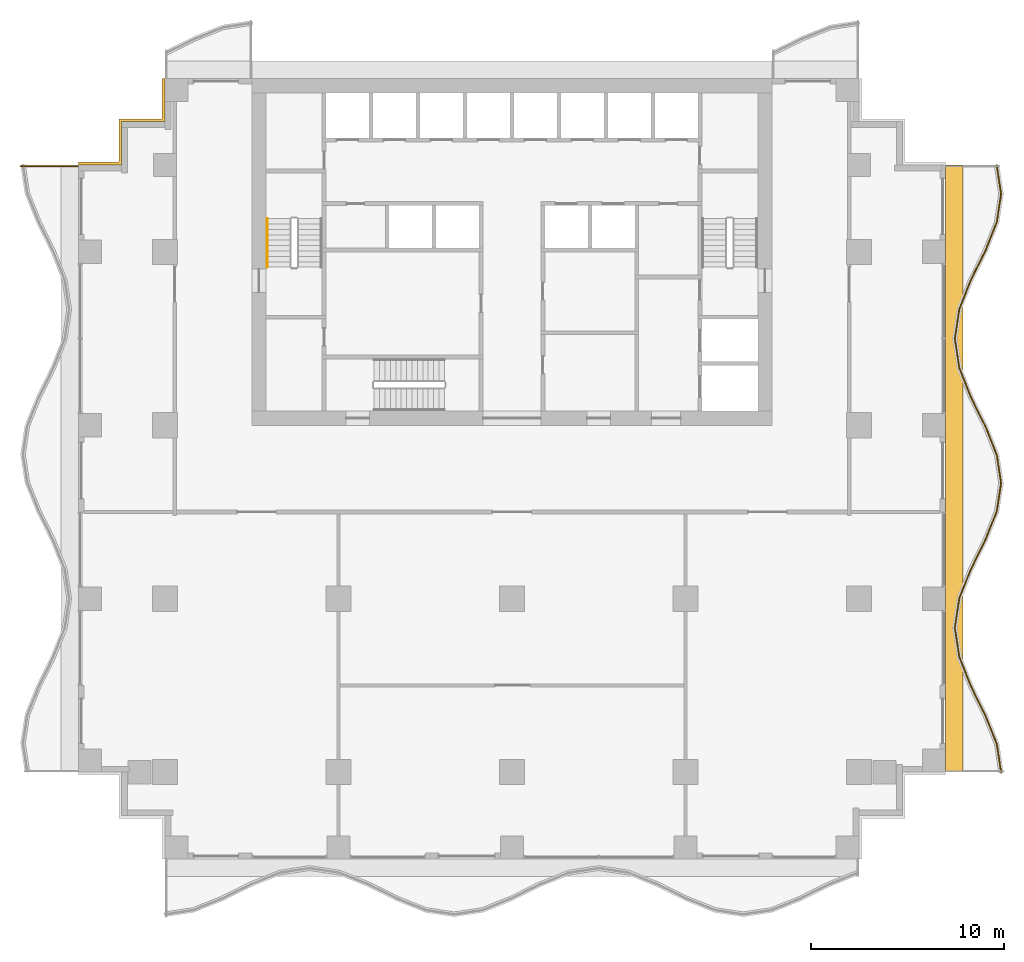
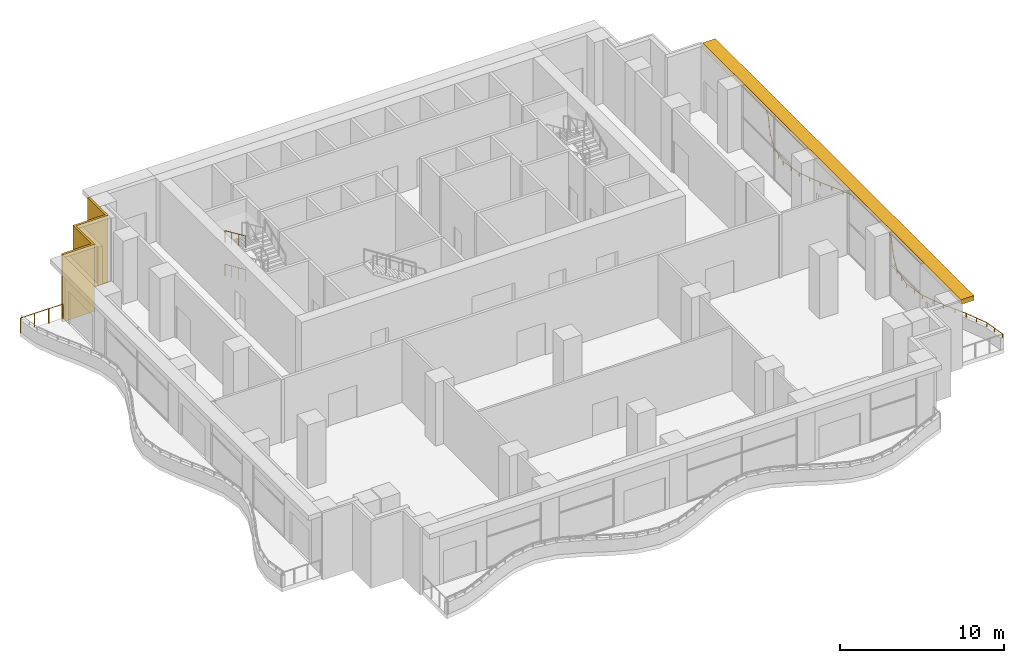
# One storey, part 13 of 14: 4 railings, 2 shading devices.
"""IFC4 building model written with IfcOpenShell, lengths in metres."""

from ifc_helpers import new_model, si_unit, direction, frame, origin, origin_2d, place, context, subcontext, project, spatial, polyline, rectangle, circle, outline, extrude, material, layer, layer_set, type_object, element, save


model = new_model("IFC4")

# Units and contexts
model_context = context("Model", 3, precision=1e-05, world=origin(), true_north=direction((0.0, 1.0)))
body_context = subcontext(model_context, "Body", "Model", "MODEL_VIEW")
ifc_project = project(units=[si_unit("LENGTHUNIT", "METRE"), si_unit("AREAUNIT", "SQUARE_METRE"), si_unit("VOLUMEUNIT", "CUBIC_METRE"), si_unit("PLANEANGLEUNIT", "RADIAN"), si_unit("MASSUNIT", "GRAM", prefix="KILO")], contexts=[model_context])

# Site, building, storey
site_placement = place(None, origin())
site = spatial("IfcSite", under=ifc_project, at=site_placement, CompositionType="ELEMENT")
building_placement = place(site_placement, origin())
building = spatial("IfcBuilding", under=site, at=building_placement, Name="Orbiselva Terraces", CompositionType="ELEMENT")
storey_placement = place(building_placement, frame((0.0, 0.0, 120.0)))
storey = spatial("IfcBuildingStorey", under=building, at=storey_placement, Name="L30", CompositionType="ELEMENT", Elevation=120.0)

# Railings
ifc_material_1 = material(Name="Stainless steel", Category="steel")
railing_type_1 = type_object("IfcRailingType", Name="CORE-HANDRAIL-900", PredefinedType="HANDRAIL", material=ifc_material_1)
for number, where, name in (
    (1, (-12.7, 15.22, 1.375), "L30 S1 stair handrail 2"),
    (2, (-12.7, 15.22, 3.875), "L30 S1 stair handrail 4"),
):
    element("IfcRailing", number, at=place(storey_placement, frame(where)), inside=storey, type_object=railing_type_1, Name=name, PredefinedType="HANDRAIL", context=body_context, shape_type="SweptSolid", body=[
        extrude(circle(Radius=0.024, at=origin_2d()), frame((0.0, 0.0, 0.876), z_axis=(0.0, -0.913137882438, 0.407650840374), x_axis=(1.0, 0.0, 0.0)), (0.0, 0.0, 1.0), 2.759715),
        extrude(circle(Radius=0.021, at=origin_2d()), origin(), (0.0, 0.0, 1.0), 0.852),
        extrude(circle(Radius=0.021, at=origin_2d()), frame((0.0, -0.84, 0.375)), (0.0, 0.0, 1.0), 0.852),
        extrude(circle(Radius=0.021, at=origin_2d()), frame((0.0, -1.68, 0.75)), (0.0, 0.0, 1.0), 0.852),
        extrude(circle(Radius=0.021, at=origin_2d()), frame((0.0, -2.52, 1.125)), (0.0, 0.0, 1.0), 0.852),
    ])
ifc_material_2 = material(Name="Bonded two-ply safety glass balustrade, stainless steel posts", Category="steel")
railing_type_2 = type_object("IfcRailingType", Name="ENV-BALUSTRADE-1200", PredefinedType="BALUSTRADE", material=ifc_material_2)
railing_1_placement = place(storey_placement, frame((25.376434, -13.518879, 0.9)))
element("IfcRailing", 3, at=railing_1_placement, inside=storey, type_object=railing_type_2, Name="Balcony balustrade L30 E", PredefinedType="BALUSTRADE", context=body_context, shape_type="SweptSolid", body=[
    extrude(outline(polyline([(0.028868, 0.0), (0.014434, 0.025), (-0.014434, 0.025), (-0.028868, 0.0), (-0.014434, -0.025), (0.014434, -0.025), (0.028868, 0.0)])), frame((0.0, 0.0, 0.275), z_axis=(-0.151034103443, 0.988528552748, 0.0), x_axis=(-0.988528552748, -0.151034103443, 0.0)), (0.0, 0.0, 1.0), 1.503038),
    extrude(outline(polyline([(0.028868, 0.0), (0.014434, 0.025), (-0.014434, 0.025), (-0.028868, 0.0), (-0.014434, -0.025), (0.014434, -0.025), (0.028868, 0.0)])), frame((-0.22701, 1.485796, 0.275), z_axis=(-0.371391000387, 0.928476561272, 0.0), x_axis=(-0.928476561272, -0.371391000387, 0.0)), (0.0, 0.0, 1.0), 1.596261),
    extrude(outline(polyline([(0.028868, 0.0), (0.014434, 0.025), (-0.014434, 0.025), (-0.028868, 0.0), (-0.014434, -0.025), (0.014434, -0.025), (0.028868, 0.0)])), frame((-0.819847, 2.967887, 0.275), z_axis=(-0.443212307306, 0.896416672454, 0.0), x_axis=(-0.896416672454, -0.443212307306, 0.0)), (0.0, 0.0, 1.0), 1.673329),
    extrude(outline(polyline([(0.028868, 0.0), (0.014434, 0.025), (-0.014434, 0.025), (-0.028868, 0.0), (-0.014434, -0.025), (0.014434, -0.025), (0.028868, 0.0)])), frame((-1.561487, 4.467887, 0.275), z_axis=(-0.371390359967, 0.92847681744, 0.0), x_axis=(-0.92847681744, -0.371390359967, 0.0)), (0.0, 0.0, 1.0), 1.634838),
    extrude(outline(polyline([(0.028868, 0.0), (0.014434, 0.025), (-0.014434, 0.025), (-0.028868, 0.0), (-0.014434, -0.025), (0.014434, -0.025), (0.028868, 0.0)])), frame((-2.16865, 5.985796, 0.275), z_axis=(-0.151034211256, 0.988528536275, 0.0), x_axis=(-0.988528536275, -0.151034211256, 0.0)), (0.0, 0.0, 1.0), 1.550874),
    extrude(outline(polyline([(0.028868, 0.0), (0.014434, 0.025), (-0.014434, 0.025), (-0.028868, 0.0), (-0.014434, -0.025), (0.014434, -0.025), (0.028868, 0.0)])), frame((-2.402885, 7.518879, 0.275), z_axis=(0.151034211256, 0.988528536275, 0.0), x_axis=(-0.988528536275, 0.151034211256, 0.0)), (0.0, 0.0, 1.0), 1.550874),
    extrude(outline(polyline([(0.028868, 0.0), (0.014434, 0.025), (-0.014434, 0.025), (-0.028868, 0.0), (-0.014434, -0.025), (0.014434, -0.025), (0.028868, 0.0)])), frame((-2.16865, 9.051962, 0.275), z_axis=(0.371390359967, 0.92847681744, 0.0), x_axis=(-0.92847681744, 0.371390359967, 0.0)), (0.0, 0.0, 1.0), 1.634838),
    extrude(outline(polyline([(0.028868, 0.0), (0.014434, 0.025), (-0.014434, 0.025), (-0.028868, 0.0), (-0.014434, -0.025), (0.014434, -0.025), (0.028868, 0.0)])), frame((-1.561487, 10.569871, 0.275), z_axis=(0.443212307306, 0.896416672454, 0.0), x_axis=(-0.896416672454, 0.443212307306, 0.0)), (0.0, 0.0, 1.0), 1.673329),
    extrude(outline(polyline([(0.028868, 0.0), (0.014434, 0.025), (-0.014434, 0.025), (-0.028868, 0.0), (-0.014434, -0.025), (0.014434, -0.025), (0.028868, 0.0)])), frame((-0.819847, 12.069871, 0.275), z_axis=(0.371391000387, 0.928476561272, 0.0), x_axis=(-0.928476561272, 0.371391000387, 0.0)), (0.0, 0.0, 1.0), 1.596261),
    extrude(outline(polyline([(0.028868, 0.0), (0.014434, 0.025), (-0.014434, 0.025), (-0.028868, 0.0), (-0.014434, -0.025), (0.014434, -0.025), (0.028868, 0.0)])), frame((-0.22701, 13.551962, 0.275), z_axis=(0.151033749027, 0.988528606898, 0.0), x_axis=(-0.988528606898, 0.151033749027, 0.0)), (0.0, 0.0, 1.0), 1.48394),
    extrude(outline(polyline([(0.028868, 0.0), (0.014434, 0.025), (-0.014434, 0.025), (-0.028868, 0.0), (-0.014434, -0.025), (0.014434, -0.025), (0.028868, 0.0)])), frame((-0.002885, 15.018879, 0.275), z_axis=(-0.151033749027, 0.988528606898, 0.0), x_axis=(-0.988528606898, -0.151033749027, 0.0)), (0.0, 0.0, 1.0), 1.48394),
    extrude(outline(polyline([(0.028868, 0.0), (0.014434, 0.025), (-0.014434, 0.025), (-0.028868, 0.0), (-0.014434, -0.025), (0.014434, -0.025), (0.028868, 0.0)])), frame((-0.22701, 16.485796, 0.275), z_axis=(-0.371391000387, 0.928476561272, 0.0), x_axis=(-0.928476561272, -0.371391000387, 0.0)), (0.0, 0.0, 1.0), 1.596261),
    extrude(outline(polyline([(0.028868, 0.0), (0.014434, 0.025), (-0.014434, 0.025), (-0.028868, 0.0), (-0.014434, -0.025), (0.014434, -0.025), (0.028868, 0.0)])), frame((-0.819847, 17.967887, 0.275), z_axis=(-0.443212307306, 0.896416672454, 0.0), x_axis=(-0.896416672454, -0.443212307306, 0.0)), (0.0, 0.0, 1.0), 1.673329),
    extrude(outline(polyline([(0.028868, 0.0), (0.014434, 0.025), (-0.014434, 0.025), (-0.028868, 0.0), (-0.014434, -0.025), (0.014434, -0.025), (0.028868, 0.0)])), frame((-1.561487, 19.467887, 0.275), z_axis=(-0.371390359967, 0.92847681744, 0.0), x_axis=(-0.92847681744, -0.371390359967, 0.0)), (0.0, 0.0, 1.0), 1.634838),
    extrude(outline(polyline([(0.028868, 0.0), (0.014434, 0.025), (-0.014434, 0.025), (-0.028868, 0.0), (-0.014434, -0.025), (0.014434, -0.025), (0.028868, 0.0)])), frame((-2.16865, 20.985796, 0.275), z_axis=(-0.151034211256, 0.988528536275, 0.0), x_axis=(-0.988528536275, -0.151034211256, 0.0)), (0.0, 0.0, 1.0), 1.550874),
    extrude(outline(polyline([(0.028868, 0.0), (0.014434, 0.025), (-0.014434, 0.025), (-0.028868, 0.0), (-0.014434, -0.025), (0.014434, -0.025), (0.028868, 0.0)])), frame((-2.402885, 22.518879, 0.275), z_axis=(0.151034211256, 0.988528536275, 0.0), x_axis=(-0.988528536275, 0.151034211256, 0.0)), (0.0, 0.0, 1.0), 1.550874),
    extrude(outline(polyline([(0.028868, 0.0), (0.014434, 0.025), (-0.014434, 0.025), (-0.028868, 0.0), (-0.014434, -0.025), (0.014434, -0.025), (0.028868, 0.0)])), frame((-2.16865, 24.051962, 0.275), z_axis=(0.371390359967, 0.92847681744, 0.0), x_axis=(-0.92847681744, 0.371390359967, 0.0)), (0.0, 0.0, 1.0), 1.634838),
    extrude(outline(polyline([(0.028868, 0.0), (0.014434, 0.025), (-0.014434, 0.025), (-0.028868, 0.0), (-0.014434, -0.025), (0.014434, -0.025), (0.028868, 0.0)])), frame((-1.561487, 25.569871, 0.275), z_axis=(0.443212307306, 0.896416672454, 0.0), x_axis=(-0.896416672454, 0.443212307306, 0.0)), (0.0, 0.0, 1.0), 1.673329),
    extrude(outline(polyline([(0.028868, 0.0), (0.014434, 0.025), (-0.014434, 0.025), (-0.028868, 0.0), (-0.014434, -0.025), (0.014434, -0.025), (0.028868, 0.0)])), frame((-0.819847, 27.069871, 0.275), z_axis=(0.371391000387, 0.928476561272, 0.0), x_axis=(-0.928476561272, 0.371391000387, 0.0)), (0.0, 0.0, 1.0), 1.596261),
    extrude(outline(polyline([(0.028868, 0.0), (0.014434, 0.025), (-0.014434, 0.025), (-0.028868, 0.0), (-0.014434, -0.025), (0.014434, -0.025), (0.028868, 0.0)])), frame((-0.22701, 28.551962, 0.275), z_axis=(0.151033749027, 0.988528606898, 0.0), x_axis=(-0.988528606898, 0.151033749027, 0.0)), (0.0, 0.0, 1.0), 1.48394),
    extrude(outline(polyline([(0.028868, 0.0), (0.014434, 0.025), (-0.014434, 0.025), (-0.028868, 0.0), (-0.014434, -0.025), (0.014434, -0.025), (0.028868, 0.0)])), frame((-0.002885, 30.018879, 0.275), z_axis=(-0.151033632714, 0.988528624669, 0.0), x_axis=(-0.988528624669, -0.151033632714, 0.0)), (0.0, 0.0, 1.0), 1.498309),
    extrude(rectangle(XDim=0.05, YDim=0.05, at=origin_2d()), origin(), (0.0, 0.0, 1.0), 0.25),
    extrude(rectangle(XDim=0.05, YDim=0.05, at=origin_2d()), frame((-0.113505, 0.742898, 0.0)), (0.0, 0.0, 1.0), 0.25),
    extrude(rectangle(XDim=0.05, YDim=0.05, at=origin_2d()), frame((-0.22701, 1.485796, 0.0)), (0.0, 0.0, 1.0), 0.25),
    extrude(rectangle(XDim=0.05, YDim=0.05, at=origin_2d()), frame((-0.523428, 2.226842, 0.0)), (0.0, 0.0, 1.0), 0.25),
    extrude(rectangle(XDim=0.05, YDim=0.05, at=origin_2d()), frame((-0.819847, 2.967887, 0.0)), (0.0, 0.0, 1.0), 0.25),
    extrude(rectangle(XDim=0.05, YDim=0.05, at=origin_2d()), frame((-1.190667, 3.717887, 0.0)), (0.0, 0.0, 1.0), 0.25),
    extrude(rectangle(XDim=0.05, YDim=0.05, at=origin_2d()), frame((-1.561487, 4.467887, 0.0)), (0.0, 0.0, 1.0), 0.25),
    extrude(rectangle(XDim=0.05, YDim=0.05, at=origin_2d()), frame((-1.865068, 5.226841, 0.0)), (0.0, 0.0, 1.0), 0.25),
    extrude(rectangle(XDim=0.05, YDim=0.05, at=origin_2d()), frame((-2.16865, 5.985796, 0.0)), (0.0, 0.0, 1.0), 0.25),
    extrude(rectangle(XDim=0.05, YDim=0.05, at=origin_2d()), frame((-2.285768, 6.752337, 0.0)), (0.0, 0.0, 1.0), 0.25),
    extrude(rectangle(XDim=0.05, YDim=0.05, at=origin_2d()), frame((-2.402885, 7.518879, 0.0)), (0.0, 0.0, 1.0), 0.25),
    extrude(rectangle(XDim=0.05, YDim=0.05, at=origin_2d()), frame((-2.285768, 8.285421, 0.0)), (0.0, 0.0, 1.0), 0.25),
    extrude(rectangle(XDim=0.05, YDim=0.05, at=origin_2d()), frame((-2.16865, 9.051962, 0.0)), (0.0, 0.0, 1.0), 0.25),
    extrude(rectangle(XDim=0.05, YDim=0.05, at=origin_2d()), frame((-1.865068, 9.810916, 0.0)), (0.0, 0.0, 1.0), 0.25),
    extrude(rectangle(XDim=0.05, YDim=0.05, at=origin_2d()), frame((-1.561487, 10.569871, 0.0)), (0.0, 0.0, 1.0), 0.25),
    extrude(rectangle(XDim=0.05, YDim=0.05, at=origin_2d()), frame((-1.190667, 11.319871, 0.0)), (0.0, 0.0, 1.0), 0.25),
    extrude(rectangle(XDim=0.05, YDim=0.05, at=origin_2d()), frame((-0.819847, 12.069871, 0.0)), (0.0, 0.0, 1.0), 0.25),
    extrude(rectangle(XDim=0.05, YDim=0.05, at=origin_2d()), frame((-0.523428, 12.810916, 0.0)), (0.0, 0.0, 1.0), 0.25),
    extrude(rectangle(XDim=0.05, YDim=0.05, at=origin_2d()), frame((-0.22701, 13.551962, 0.0)), (0.0, 0.0, 1.0), 0.25),
    extrude(rectangle(XDim=0.05, YDim=0.05, at=origin_2d()), frame((-0.114947, 14.28542, 0.0)), (0.0, 0.0, 1.0), 0.25),
    extrude(rectangle(XDim=0.05, YDim=0.05, at=origin_2d()), frame((-0.002885, 15.018879, 0.0)), (0.0, 0.0, 1.0), 0.25),
    extrude(rectangle(XDim=0.05, YDim=0.05, at=origin_2d()), frame((-0.114947, 15.752338, 0.0)), (0.0, 0.0, 1.0), 0.25),
    extrude(rectangle(XDim=0.05, YDim=0.05, at=origin_2d()), frame((-0.22701, 16.485796, 0.0)), (0.0, 0.0, 1.0), 0.25),
    extrude(rectangle(XDim=0.05, YDim=0.05, at=origin_2d()), frame((-0.523428, 17.226842, 0.0)), (0.0, 0.0, 1.0), 0.25),
    extrude(rectangle(XDim=0.05, YDim=0.05, at=origin_2d()), frame((-0.819847, 17.967887, 0.0)), (0.0, 0.0, 1.0), 0.25),
    extrude(rectangle(XDim=0.05, YDim=0.05, at=origin_2d()), frame((-1.190667, 18.717887, 0.0)), (0.0, 0.0, 1.0), 0.25),
    extrude(rectangle(XDim=0.05, YDim=0.05, at=origin_2d()), frame((-1.561487, 19.467887, 0.0)), (0.0, 0.0, 1.0), 0.25),
    extrude(rectangle(XDim=0.05, YDim=0.05, at=origin_2d()), frame((-1.865068, 20.226842, 0.0)), (0.0, 0.0, 1.0), 0.25),
    extrude(rectangle(XDim=0.05, YDim=0.05, at=origin_2d()), frame((-2.16865, 20.985796, 0.0)), (0.0, 0.0, 1.0), 0.25),
    extrude(rectangle(XDim=0.05, YDim=0.05, at=origin_2d()), frame((-2.285768, 21.752338, 0.0)), (0.0, 0.0, 1.0), 0.25),
    extrude(rectangle(XDim=0.05, YDim=0.05, at=origin_2d()), frame((-2.402885, 22.518879, 0.0)), (0.0, 0.0, 1.0), 0.25),
    extrude(rectangle(XDim=0.05, YDim=0.05, at=origin_2d()), frame((-2.285768, 23.28542, 0.0)), (0.0, 0.0, 1.0), 0.25),
    extrude(rectangle(XDim=0.05, YDim=0.05, at=origin_2d()), frame((-2.16865, 24.051962, 0.0)), (0.0, 0.0, 1.0), 0.25),
    extrude(rectangle(XDim=0.05, YDim=0.05, at=origin_2d()), frame((-1.865068, 24.810916, 0.0)), (0.0, 0.0, 1.0), 0.25),
    extrude(rectangle(XDim=0.05, YDim=0.05, at=origin_2d()), frame((-1.561487, 25.569871, 0.0)), (0.0, 0.0, 1.0), 0.25),
    extrude(rectangle(XDim=0.05, YDim=0.05, at=origin_2d()), frame((-1.190667, 26.319871, 0.0)), (0.0, 0.0, 1.0), 0.25),
    extrude(rectangle(XDim=0.05, YDim=0.05, at=origin_2d()), frame((-0.819847, 27.069871, 0.0)), (0.0, 0.0, 1.0), 0.25),
    extrude(rectangle(XDim=0.05, YDim=0.05, at=origin_2d()), frame((-0.523428, 27.810916, 0.0)), (0.0, 0.0, 1.0), 0.25),
    extrude(rectangle(XDim=0.05, YDim=0.05, at=origin_2d()), frame((-0.22701, 28.551962, 0.0)), (0.0, 0.0, 1.0), 0.25),
    extrude(rectangle(XDim=0.05, YDim=0.05, at=origin_2d()), frame((-0.114947, 29.28542, 0.0)), (0.0, 0.0, 1.0), 0.25),
    extrude(rectangle(XDim=0.05, YDim=0.05, at=origin_2d()), frame((-0.002885, 30.018879, 0.0)), (0.0, 0.0, 1.0), 0.25),
    extrude(rectangle(XDim=0.05, YDim=0.05, at=origin_2d()), frame((-0.116032, 30.75944, 0.0)), (0.0, 0.0, 1.0), 0.25),
    extrude(rectangle(XDim=0.05, YDim=0.05, at=origin_2d()), frame((-0.22918, 31.5, 0.0)), (0.0, 0.0, 1.0), 0.25),
])
ifc_material_3 = material(Name="Stainless steel rail and posts", Category="steel")
railing_type_3 = type_object("IfcRailingType", Name="ENV-GUARD-1105", PredefinedType="BALUSTRADE", material=ifc_material_3)
railing_2_placement = place(storey_placement, frame((-25.499621, 17.94, 0.0)))
element("IfcRailing", 4, at=railing_2_placement, inside=storey, type_object=railing_type_3, Name="Balcony end guard L30 W", PredefinedType="BALUSTRADE", context=body_context, shape_type="SweptSolid", body=[
    extrude(outline(polyline([(0.028868, 0.0), (0.014434, 0.025), (-0.014434, 0.025), (-0.028868, 0.0), (-0.014434, -0.025), (0.014434, -0.025), (0.028868, 0.0)])), frame((0.0, 0.0, 1.08), z_axis=(1.0, 0.0, 0.0), x_axis=(0.0, 1.0, 0.0)), (0.0, 0.0, 1.0), 2.974621),
    extrude(rectangle(XDim=0.05, YDim=0.05, at=origin_2d()), origin(), (0.0, 0.0, 1.0), 1.055),
    extrude(rectangle(XDim=0.05, YDim=0.05, at=origin_2d()), frame((0.99154, 0.0, 0.0)), (0.0, 0.0, 1.0), 1.055),
    extrude(rectangle(XDim=0.05, YDim=0.05, at=origin_2d()), frame((1.983081, 0.0, 0.0)), (0.0, 0.0, 1.0), 1.055),
    extrude(rectangle(XDim=0.05, YDim=0.05, at=origin_2d()), frame((2.974621, 0.0, 0.0)), (0.0, 0.0, 1.0), 1.055),
])

# Shading devices
ifc_material_4 = material(Name="Terracotta louvre screen", Category="masonry")
ifc_layer_1 = layer(ifc_material_4, 0.15)
ifc_layer_set_1 = layer_set([ifc_layer_1], Name="Terracotta louvre screen")
shading_device_type_1 = type_object("IfcShadingDeviceType", Name="ENV-SCREEN-150", PredefinedType="USERDEFINED", material=ifc_layer_set_1)
shading_device_1_placement = place(storey_placement, frame((0.0, 0.0, -0.3)))
element("IfcShadingDevice", 5, at=shading_device_1_placement, inside=storey, type_object=shading_device_type_1, Name="Louvre screen L30 NW", ObjectType="SCREEN", PredefinedType="USERDEFINED", context=body_context, shape_type="SweptSolid", body=[
    extrude(outline(polyline([(-18.15, 22.5), (-18.15, 20.4), (-20.4, 20.4), (-20.4, 18.15), (-22.5, 18.15), (-22.5, 18.0), (-20.25, 18.0), (-20.25, 20.25), (-18.0, 20.25), (-18.0, 22.5), (-18.15, 22.5)])), origin(), (0.0, 0.0, 1.0), 5.0),
])
ifc_material_5 = material(Name="Terracotta baguette sunshade", Category="masonry")
ifc_layer_2 = layer(ifc_material_5, 0.35)
ifc_layer_set_2 = layer_set([ifc_layer_2], Name="Terracotta baguette sunshade")
shading_device_type_2 = type_object("IfcShadingDeviceType", Name="ENV-SUNSHADE-900x350", PredefinedType="USERDEFINED", material=ifc_layer_set_2)
shading_device_2_placement = place(storey_placement, frame((0.0, 0.0, 4.35)))
element("IfcShadingDevice", 6, at=shading_device_2_placement, inside=storey, type_object=shading_device_type_2, Name="Sunshade band L30 E", ObjectType="SUNSHADE", PredefinedType="USERDEFINED", context=body_context, shape_type="SweptSolid", body=[
    extrude(outline(polyline([(23.4, -13.5), (23.4, 18.0), (22.5, 18.0), (22.5, -13.5), (23.4, -13.5)])), origin(), (0.0, 0.0, 1.0), 0.35),
])

save(model, "model.ifc")
